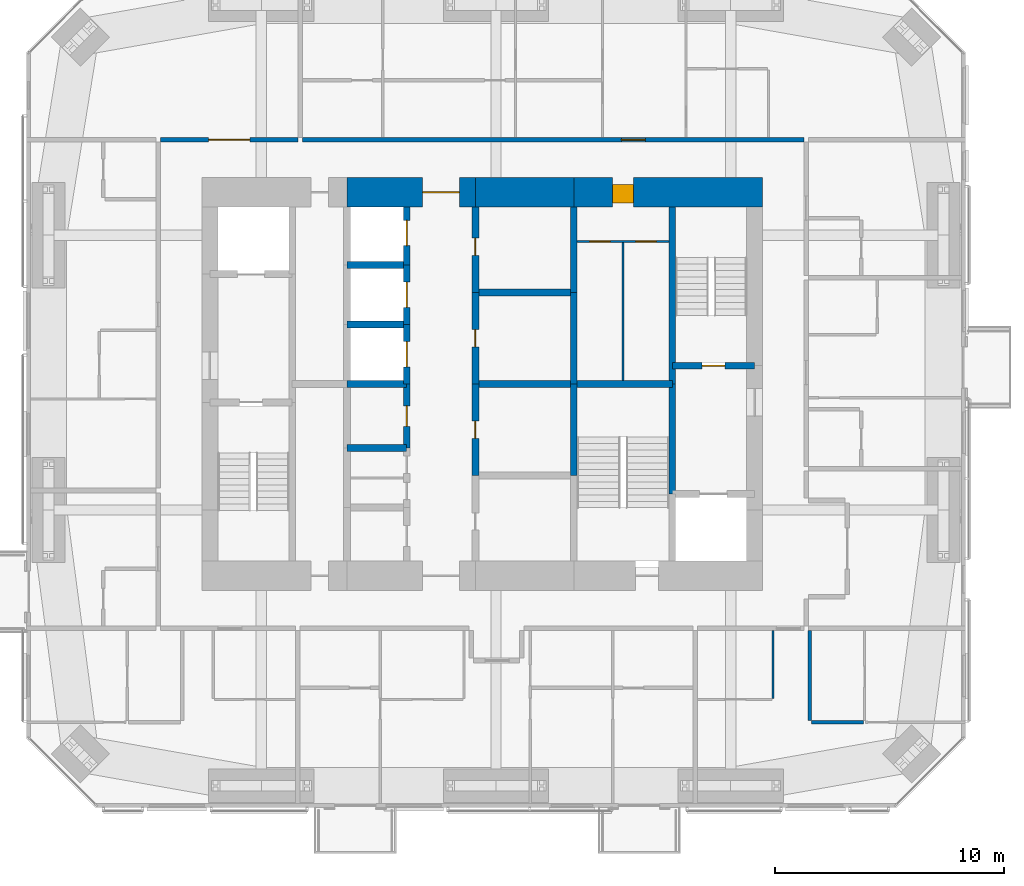
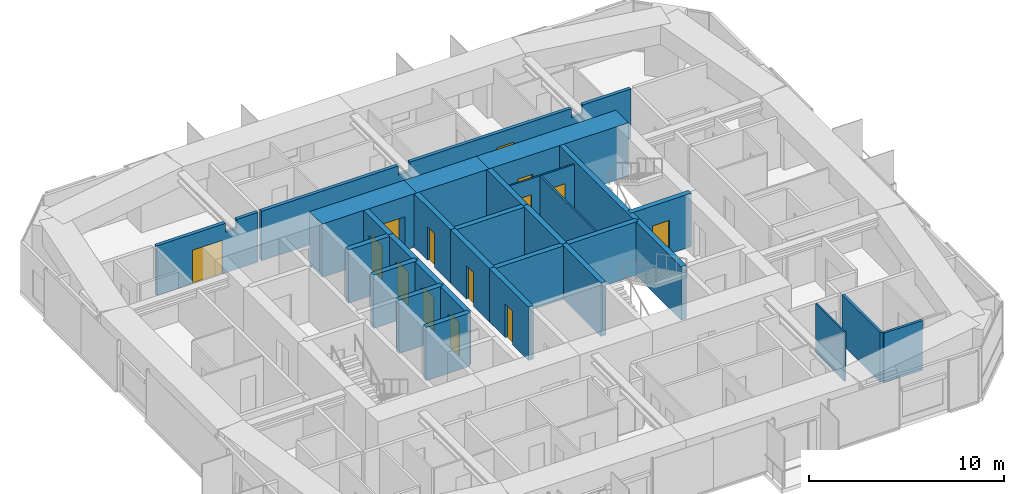
# One storey, part 18 of 22: 30 walls, 14 doors, 14 openings.
"""IFC4 building model written with IfcOpenShell, lengths in metres."""

from ifc_helpers import new_model, si_unit, direction, frame, frame_2d, origin, place, context, subcontext, project, spatial, polyline, rectangle, outline, extrude, material, layer, layer_set, constituent, constituent_set, type_object, element, fill, save


model = new_model("IFC4")

# Units and contexts
model_context = context("Model", 3, precision=1e-05, world=origin(), true_north=direction((0.0, 1.0)))
body_context = subcontext(model_context, "Body", "Model", "MODEL_VIEW")
ifc_project = project(units=[si_unit("LENGTHUNIT", "METRE"), si_unit("AREAUNIT", "SQUARE_METRE"), si_unit("VOLUMEUNIT", "CUBIC_METRE"), si_unit("PLANEANGLEUNIT", "RADIAN"), si_unit("MASSUNIT", "GRAM", prefix="KILO")], contexts=[model_context])

# Site, building, storey
site_placement = place(None, origin())
site = spatial("IfcSite", under=ifc_project, at=site_placement, CompositionType="ELEMENT")
building_placement = place(site_placement, origin())
building = spatial("IfcBuilding", under=site, at=building_placement, Name="Jalousie Tower", CompositionType="ELEMENT")
storey_placement = place(building_placement, frame((0.0, 0.0, 177.800048828125)))
storey = spatial("IfcBuildingStorey", under=building, at=storey_placement, Name="L48", CompositionType="ELEMENT", Elevation=177.800048828125)

# Walls
ifc_material_1 = material(Name="Concrete block ASTM C90", Category="concrete")
ifc_constituent_1 = constituent(ifc_material_1, Name="Body")
ifc_material_2 = material(Name="Render")
ifc_constituent_2 = constituent(ifc_material_2, Name="Finish")
ifc_constituent_set_1 = constituent_set(constituents=[ifc_constituent_1, ifc_constituent_2])
wall_type_1 = type_object("IfcWallType", Name="BATHROOM WALL 150", PredefinedType="PLUMBINGWALL", material=ifc_constituent_set_1)
wall_1_placement = place(storey_placement, frame((46.27490234375, 3.72119140625, 0.0), z_axis=(0.0, 0.0, 1.0), x_axis=(1.0, 0.0, 0.0)))
element("IfcWall", 1, at=wall_1_placement, inside=storey, type_object=wall_type_1, Name="Bathroom Wall 150 L48", PredefinedType="PLUMBINGWALL", context=body_context, shape_type="SweptSolid", body=[
    extrude(rectangle(XDim=2.275146484375, YDim=0.14990234375, at=frame_2d((1.1376953125, 0.0))), origin(), (0.0, 0.0, 1.0), 3.10986328125),
])
wall_2_placement = place(storey_placement, frame((46.199951171875, 3.79638671875, 0.0), z_axis=(0.0, 0.0, 1.0), x_axis=(0.0, 1.0, 0.0)))
element("IfcWall", 2, at=wall_2_placement, inside=storey, type_object=wall_type_1, Name="Bathroom Wall 150 L48", PredefinedType="PLUMBINGWALL", context=body_context, shape_type="SweptSolid", body=[
    extrude(rectangle(XDim=3.9287109375, YDim=0.14990234375, at=frame_2d((1.96435546875, 0.0))), origin(), (0.0, 0.0, 1.0), 3.10986328125),
])

# Wall, opening, door
ifc_material_3 = material(Name="Concrete f'c 120 MPa", Category="concrete")
ifc_layer_1 = layer(ifc_material_3, 1.300048828125)
ifc_layer_set_1 = layer_set([ifc_layer_1], Name="Concrete f'c 120 MPa")
wall_type_2 = type_object("IfcWallType", Name="CORE WALL 1300", PredefinedType="SHEAR", material=ifc_layer_set_1)
wall_3_placement = place(storey_placement, frame((44.14990234375, 26.875, 0.0), z_axis=(0.0, 0.0, 1.0), x_axis=(-1.0, 0.0, 0.0)))
wall_3 = element("IfcWall", 3, at=wall_3_placement, inside=storey, type_object=wall_type_2, Name="Core wall NA L48", PredefinedType="SHEAR", context=body_context, shape_type="SweptSolid", body=[
    extrude(rectangle(XDim=8.25, YDim=1.300048828125, at=frame_2d((4.125, 0.0))), origin(), (0.0, 0.0, 1.0), 3.349853515625),
])
opening_1_placement = place(wall_3_placement, frame((5.64990234375, 0.0, 0.0)))
opening_1 = element("IfcOpeningElement", 4, at=opening_1_placement, cuts=wall_3, Name="Opening D25", PredefinedType="OPENING", context=body_context, shape_type="SweptSolid", body=[
    extrude(rectangle(XDim=0.89990234375, YDim=2.10009765625, at=frame_2d((0.449951171875, 1.050048828125))), frame((0.0, 0.659912109375, 0.0), z_axis=(0.0, -1.0, 0.0), x_axis=(1.0, 0.0, 0.0)), (0.0, 0.0, 1.0), 1.320068359375),
])
ifc_material_4 = material(Name="Steel fire door", Category="steel")
door_type_1 = type_object("IfcDoorType", Name="SERVICE LOBBY DOOR 900", OperationType="SINGLE_SWING_LEFT", PredefinedType="DOOR", material=ifc_material_4)
door_1_placement = place(opening_1_placement, origin())
door_1 = element("IfcDoor", 5, at=door_1_placement, inside=storey, type_object=door_type_1, Name="Service lobby door", OperationType="SINGLE_SWING_RIGHT", OverallHeight=2.10009765625, OverallWidth=0.89990234375, PredefinedType="DOOR", context=body_context, shape_type="SweptSolid", body=[
    extrude(rectangle(XDim=0.89990234375, YDim=2.10009765625, at=frame_2d((0.449951171875, 1.050048828125))), frame((0.0, 0.47021484375, 0.0), z_axis=(0.0, -1.0, 0.0), x_axis=(1.0, 0.0, 0.0)), (0.0, 0.0, 1.0), 0.800048828125),
])
fill(opening_1, door_1)

# Wall
wall_4_placement = place(storey_placement, frame((35.89990234375, 26.875, 0.0), z_axis=(0.0, 0.0, 1.0), x_axis=(-1.0, 0.0, 0.0)))
element("IfcWall", 6, at=wall_4_placement, inside=storey, type_object=wall_type_2, Name="Core wall NB L48", PredefinedType="SHEAR", context=body_context, shape_type="SweptSolid", body=[
    extrude(rectangle(XDim=4.2998046875, YDim=1.300048828125, at=frame_2d((2.14990234375, 0.0))), origin(), (0.0, 0.0, 1.0), 3.349853515625),
])

# Wall, opening, door
wall_5_placement = place(storey_placement, frame((31.60009765625, 26.875, 0.0), z_axis=(0.0, 0.0, 1.0), x_axis=(-1.0, 0.0, 0.0)))
wall_5 = element("IfcWall", 7, at=wall_5_placement, inside=storey, type_object=wall_type_2, Name="Core wall NC L48", PredefinedType="SHEAR", context=body_context, shape_type="SweptSolid", body=[
    extrude(rectangle(XDim=5.60009765625, YDim=1.300048828125, at=frame_2d((2.800048828125, 0.0))), origin(), (0.0, 0.0, 1.0), 3.349853515625),
])
opening_2_placement = place(wall_5_placement, frame((0.699951171875, 0.0, 0.0)))
opening_2 = element("IfcOpeningElement", 8, at=opening_2_placement, cuts=wall_5, Name="Opening D15", PredefinedType="OPENING", context=body_context, shape_type="SweptSolid", body=[
    extrude(rectangle(XDim=1.60009765625, YDim=2.10009765625, at=frame_2d((0.800048828125, 1.050048828125))), frame((0.0, 0.659912109375, 0.0), z_axis=(0.0, -1.0, 0.0), x_axis=(1.0, 0.0, 0.0)), (0.0, 0.0, 1.0), 1.320068359375),
])
ifc_material_5 = material(Name="Steel fire door", Category="steel")
door_type_2 = type_object("IfcDoorType", Name="LIFT LOBBY DOOR 1600", OperationType="DOUBLE_DOOR_SINGLE_SWING", PredefinedType="DOOR", material=ifc_material_5)
door_2_placement = place(opening_2_placement, origin())
door_2 = element("IfcDoor", 9, at=door_2_placement, inside=storey, type_object=door_type_2, Name="Lift lobby north door", OperationType="DOUBLE_DOOR_SINGLE_SWING", OverallHeight=2.10009765625, OverallWidth=1.60009765625, PredefinedType="DOOR", context=body_context, shape_type="SweptSolid", body=[
    extrude(rectangle(XDim=1.60009765625, YDim=2.10009765625, at=frame_2d((0.800048828125, 1.050048828125))), frame((0.0, 0.02490234375, 0.0), z_axis=(0.0, -1.0, 0.0), x_axis=(1.0, 0.0, 0.0)), (0.0, 0.0, 1.0), 0.050048828125),
])
fill(opening_2, door_2)

ifc_material_6 = material(Name="Concrete f'c 120 MPa", Category="concrete")
ifc_layer_2 = layer(ifc_material_6, 0.300048828125)
ifc_layer_set_2 = layer_set([ifc_layer_2], Name="Concrete f'c 120 MPa")
wall_type_3 = type_object("IfcWallType", Name="CORE WALL 300", PredefinedType="SHEAR", material=ifc_layer_set_2)
wall_6_placement = place(storey_placement, frame((28.60009765625, 15.699951171875, 0.0), z_axis=(0.0, 0.0, 1.0), x_axis=(0.0, 1.0, 0.0)))
wall_6 = element("IfcWall", 10, at=wall_6_placement, inside=storey, type_object=wall_type_3, Name="Core wall X28.6C L48", PredefinedType="SHEAR", context=body_context, shape_type="SweptSolid", body=[
    extrude(rectangle(XDim=2.800048828125, YDim=0.300048828125, at=frame_2d((1.39990234375, 0.0))), origin(), (0.0, 0.0, 1.0), 3.349853515625),
])
opening_3_placement = place(wall_6_placement, frame((0.949951171875, 0.0, 0.0)))
opening_3 = element("IfcOpeningElement", 11, at=opening_3_placement, cuts=wall_6, Name="Opening D24", PredefinedType="OPENING", context=body_context, shape_type="SweptSolid", body=[
    extrude(rectangle(XDim=0.89990234375, YDim=2.10009765625, at=frame_2d((0.449951171875, 1.050048828125))), frame((0.0, 0.159912109375, 0.0), z_axis=(0.0, -1.0, 0.0), x_axis=(1.0, 0.0, 0.0)), (0.0, 0.0, 1.0), 0.320068359375),
])
ifc_material_7 = material(Name="Steel fire door", Category="steel")
door_type_3 = type_object("IfcDoorType", Name="CORE ROOM DOOR 900", OperationType="SINGLE_SWING_LEFT", PredefinedType="DOOR", material=ifc_material_7)
door_3_placement = place(opening_3_placement, origin())
door_3 = element("IfcDoor", 12, at=door_3_placement, inside=storey, type_object=door_type_3, Name="Pantry door", OperationType="SINGLE_SWING_LEFT", OverallHeight=2.10009765625, OverallWidth=0.89990234375, PredefinedType="DOOR", context=body_context, shape_type="SweptSolid", body=[
    extrude(rectangle(XDim=0.89990234375, YDim=2.10009765625, at=frame_2d((0.449951171875, 1.050048828125))), frame((0.0, 0.02490234375, 0.0), z_axis=(0.0, -1.0, 0.0), x_axis=(1.0, 0.0, 0.0)), (0.0, 0.0, 1.0), 0.050048828125),
])
fill(opening_3, door_3)

wall_7_placement = place(storey_placement, frame((28.60009765625, 18.5, 0.0), z_axis=(0.0, 0.0, 1.0), x_axis=(0.0, 1.0, 0.0)))
wall_7 = element("IfcWall", 13, at=wall_7_placement, inside=storey, type_object=wall_type_3, Name="Core wall X28.6D L48", PredefinedType="SHEAR", context=body_context, shape_type="SweptSolid", body=[
    extrude(rectangle(XDim=2.60009765625, YDim=0.300048828125, at=frame_2d((1.300048828125, 0.0))), origin(), (0.0, 0.0, 1.0), 3.349853515625),
])
opening_4_placement = place(wall_7_placement, frame((0.75, 0.0, 0.0)))
opening_4 = element("IfcOpeningElement", 14, at=opening_4_placement, cuts=wall_7, Name="Opening LD1", PredefinedType="OPENING", context=body_context, shape_type="SweptSolid", body=[
    extrude(rectangle(XDim=1.10009765625, YDim=2.10009765625, at=frame_2d((0.550048828125, 1.050048828125))), frame((0.0, 0.159912109375, 0.0), z_axis=(0.0, -1.0, 0.0), x_axis=(1.0, 0.0, 0.0)), (0.0, 0.0, 1.0), 0.320068359375),
])
ifc_material_8 = material(Name="Steel lift landing door", Category="steel")
door_type_4 = type_object("IfcDoorType", Name="LIFT LANDING DOOR 1100", OperationType="SLIDING_TO_LEFT", PredefinedType="DOOR", material=ifc_material_8)
door_4_placement = place(opening_4_placement, origin())
door_4 = element("IfcDoor", 15, at=door_4_placement, inside=storey, type_object=door_type_4, Name="Lift P4 landing door", OperationType="SLIDING_TO_LEFT", OverallHeight=2.10009765625, OverallWidth=1.10009765625, PredefinedType="DOOR", context=body_context, shape_type="SweptSolid", body=[
    extrude(rectangle(XDim=1.10009765625, YDim=2.10009765625, at=frame_2d((0.550048828125, 1.050048828125))), frame((0.0, 0.02490234375, 0.0), z_axis=(0.0, -1.0, 0.0), x_axis=(1.0, 0.0, 0.0)), (0.0, 0.0, 1.0), 0.050048828125),
])
fill(opening_4, door_4)

wall_8_placement = place(storey_placement, frame((28.60009765625, 21.10009765625, 0.0), z_axis=(0.0, 0.0, 1.0), x_axis=(0.0, 1.0, 0.0)))
wall_8 = element("IfcWall", 16, at=wall_8_placement, inside=storey, type_object=wall_type_3, Name="Core wall X28.6E L48", PredefinedType="SHEAR", context=body_context, shape_type="SweptSolid", body=[
    extrude(rectangle(XDim=2.599853515625, YDim=0.300048828125, at=frame_2d((1.2998046875, 0.0))), origin(), (0.0, 0.0, 1.0), 3.349853515625),
])
opening_5_placement = place(wall_8_placement, frame((0.75, 0.0, 0.0)))
opening_5 = element("IfcOpeningElement", 17, at=opening_5_placement, cuts=wall_8, Name="Opening LD1", PredefinedType="OPENING", context=body_context, shape_type="SweptSolid", body=[
    extrude(rectangle(XDim=1.10009765625, YDim=2.10009765625, at=frame_2d((0.550048828125, 1.050048828125))), frame((0.0, 0.159912109375, 0.0), z_axis=(0.0, -1.0, 0.0), x_axis=(1.0, 0.0, 0.0)), (0.0, 0.0, 1.0), 0.320068359375),
])
door_5_placement = place(opening_5_placement, origin())
door_5 = element("IfcDoor", 18, at=door_5_placement, inside=storey, type_object=door_type_4, Name="Lift P5 landing door", OperationType="SLIDING_TO_LEFT", OverallHeight=2.10009765625, OverallWidth=1.10009765625, PredefinedType="DOOR", context=body_context, shape_type="SweptSolid", body=[
    extrude(rectangle(XDim=1.10009765625, YDim=2.10009765625, at=frame_2d((0.550048828125, 1.050048828125))), frame((0.0, 0.02490234375, 0.0), z_axis=(0.0, -1.0, 0.0), x_axis=(1.0, 0.0, 0.0)), (0.0, 0.0, 1.0), 0.050048828125),
])
fill(opening_5, door_5)

wall_9_placement = place(storey_placement, frame((28.60009765625, 23.699951171875, 0.0), z_axis=(0.0, 0.0, 1.0), x_axis=(0.0, 1.0, 0.0)))
wall_9 = element("IfcWall", 19, at=wall_9_placement, inside=storey, type_object=wall_type_3, Name="Core wall X28.6F L48", PredefinedType="SHEAR", context=body_context, shape_type="SweptSolid", body=[
    extrude(rectangle(XDim=2.525146484375, YDim=0.300048828125, at=frame_2d((1.2626953125, 0.0))), origin(), (0.0, 0.0, 1.0), 3.349853515625),
])
opening_6_placement = place(wall_9_placement, frame((0.85009765625, 0.0, 0.0)))
opening_6 = element("IfcOpeningElement", 20, at=opening_6_placement, cuts=wall_9, Name="Opening LD1", PredefinedType="OPENING", context=body_context, shape_type="SweptSolid", body=[
    extrude(rectangle(XDim=1.10009765625, YDim=2.10009765625, at=frame_2d((0.550048828125, 1.050048828125))), frame((0.0, 0.159912109375, 0.0), z_axis=(0.0, -1.0, 0.0), x_axis=(1.0, 0.0, 0.0)), (0.0, 0.0, 1.0), 0.320068359375),
])
door_6_placement = place(opening_6_placement, origin())
door_6 = element("IfcDoor", 21, at=door_6_placement, inside=storey, type_object=door_type_4, Name="Lift P6 landing door", OperationType="SLIDING_TO_LEFT", OverallHeight=2.10009765625, OverallWidth=1.10009765625, PredefinedType="DOOR", context=body_context, shape_type="SweptSolid", body=[
    extrude(rectangle(XDim=1.10009765625, YDim=2.10009765625, at=frame_2d((0.550048828125, 1.050048828125))), frame((0.0, 0.02490234375, 0.0), z_axis=(0.0, -1.0, 0.0), x_axis=(1.0, 0.0, 0.0)), (0.0, 0.0, 1.0), 0.050048828125),
])
fill(opening_6, door_6)

wall_10_placement = place(storey_placement, frame((31.60009765625, 14.5, 0.0), z_axis=(0.0, 0.0, 1.0), x_axis=(0.0, 1.0, 0.0)))
wall_10 = element("IfcWall", 22, at=wall_10_placement, inside=storey, type_object=wall_type_3, Name="Core wall X31.6B L48", PredefinedType="SHEAR", context=body_context, shape_type="SweptSolid", body=[
    extrude(rectangle(XDim=4.0, YDim=0.300048828125, at=frame_2d((2.0, 0.0))), origin(), (0.0, 0.0, 1.0), 3.349853515625),
])
opening_7_placement = place(wall_10_placement, frame((1.625, 0.0, 0.0)))
opening_7 = element("IfcOpeningElement", 23, at=opening_7_placement, cuts=wall_10, Name="Opening D16", PredefinedType="OPENING", context=body_context, shape_type="SweptSolid", body=[
    extrude(rectangle(XDim=0.75, YDim=2.10009765625, at=frame_2d((0.375, 1.050048828125))), frame((0.0, 0.159912109375, 0.0), z_axis=(0.0, -1.0, 0.0), x_axis=(1.0, 0.0, 0.0)), (0.0, 0.0, 1.0), 0.320068359375),
])
ifc_material_9 = material(Name="Steel fire door", Category="steel")
door_type_5 = type_object("IfcDoorType", Name="RISER DOOR 750", OperationType="SINGLE_SWING_LEFT", PredefinedType="DOOR", material=ifc_material_9)
door_7_placement = place(opening_7_placement, frame((0.75, 0.0, 0.0), z_axis=(0.0, 0.0, 1.0), x_axis=(-1.0, 0.0, 0.0)))
door_7 = element("IfcDoor", 24, at=door_7_placement, inside=storey, type_object=door_type_5, Name="Electrical Room door", OperationType="SINGLE_SWING_RIGHT", OverallHeight=2.10009765625, OverallWidth=0.75, PredefinedType="DOOR", context=body_context, shape_type="SweptSolid", body=[
    extrude(rectangle(XDim=0.75, YDim=2.10009765625, at=frame_2d((0.375, 1.050048828125))), frame((0.0, 0.02490234375, 0.0), z_axis=(0.0, -1.0, 0.0), x_axis=(1.0, 0.0, 0.0)), (0.0, 0.0, 1.0), 0.050048828125),
])
fill(opening_7, door_7)

wall_11_placement = place(storey_placement, frame((31.60009765625, 18.5, 0.0), z_axis=(0.0, 0.0, 1.0), x_axis=(0.0, 1.0, 0.0)))
wall_11 = element("IfcWall", 25, at=wall_11_placement, inside=storey, type_object=wall_type_3, Name="Core wall X31.6C L48", PredefinedType="SHEAR", context=body_context, shape_type="SweptSolid", body=[
    extrude(rectangle(XDim=4.0, YDim=0.300048828125, at=frame_2d((2.0, 0.0))), origin(), (0.0, 0.0, 1.0), 3.349853515625),
])
opening_8_placement = place(wall_11_placement, frame((1.625, 0.0, 0.0)))
opening_8 = element("IfcOpeningElement", 26, at=opening_8_placement, cuts=wall_11, Name="Opening D16", PredefinedType="OPENING", context=body_context, shape_type="SweptSolid", body=[
    extrude(rectangle(XDim=0.75, YDim=2.10009765625, at=frame_2d((0.375, 1.050048828125))), frame((0.0, 0.159912109375, 0.0), z_axis=(0.0, -1.0, 0.0), x_axis=(1.0, 0.0, 0.0)), (0.0, 0.0, 1.0), 0.320068359375),
])
door_8_placement = place(opening_8_placement, frame((0.75, 0.0, 0.0), z_axis=(0.0, 0.0, 1.0), x_axis=(-1.0, 0.0, 0.0)))
door_8 = element("IfcDoor", 27, at=door_8_placement, inside=storey, type_object=door_type_5, Name="Telecom Room door", OperationType="SINGLE_SWING_RIGHT", OverallHeight=2.10009765625, OverallWidth=0.75, PredefinedType="DOOR", context=body_context, shape_type="SweptSolid", body=[
    extrude(rectangle(XDim=0.75, YDim=2.10009765625, at=frame_2d((0.375, 1.050048828125))), frame((0.0, 0.02490234375, 0.0), z_axis=(0.0, -1.0, 0.0), x_axis=(1.0, 0.0, 0.0)), (0.0, 0.0, 1.0), 0.050048828125),
])
fill(opening_8, door_8)

wall_12_placement = place(storey_placement, frame((31.60009765625, 22.5, 0.0), z_axis=(0.0, 0.0, 1.0), x_axis=(0.0, 1.0, 0.0)))
wall_12 = element("IfcWall", 28, at=wall_12_placement, inside=storey, type_object=wall_type_3, Name="Core wall X31.6D L48", PredefinedType="SHEAR", context=body_context, shape_type="SweptSolid", body=[
    extrude(rectangle(XDim=3.72509765625, YDim=0.300048828125, at=frame_2d((1.862548828125, 0.0))), origin(), (0.0, 0.0, 1.0), 3.349853515625),
])
opening_9_placement = place(wall_12_placement, frame((1.625, 0.0, 0.0)))
opening_9 = element("IfcOpeningElement", 29, at=opening_9_placement, cuts=wall_12, Name="Opening D16", PredefinedType="OPENING", context=body_context, shape_type="SweptSolid", body=[
    extrude(rectangle(XDim=0.75, YDim=2.10009765625, at=frame_2d((0.375, 1.050048828125))), frame((0.0, 0.159912109375, 0.0), z_axis=(0.0, -1.0, 0.0), x_axis=(1.0, 0.0, 0.0)), (0.0, 0.0, 1.0), 0.320068359375),
])
door_9_placement = place(opening_9_placement, frame((0.75, 0.0, 0.0), z_axis=(0.0, 0.0, 1.0), x_axis=(-1.0, 0.0, 0.0)))
door_9 = element("IfcDoor", 30, at=door_9_placement, inside=storey, type_object=door_type_5, Name="Water Services Room door", OperationType="SINGLE_SWING_LEFT", OverallHeight=2.10009765625, OverallWidth=0.75, PredefinedType="DOOR", context=body_context, shape_type="SweptSolid", body=[
    extrude(rectangle(XDim=0.75, YDim=2.10009765625, at=frame_2d((0.375, 1.050048828125))), frame((0.0, 0.02490234375, 0.0), z_axis=(0.0, -1.0, 0.0), x_axis=(1.0, 0.0, 0.0)), (0.0, 0.0, 1.0), 0.050048828125),
])
fill(opening_9, door_9)

# Walls
for number, where, z_axis, x_axis, name in (
    (31, (35.89990234375, 14.5, 0.0), (0.0, 0.0, 1.0), (0.0, 1.0, 0.0), "Core wall X35.9B L48"),
    (32, (35.89990234375, 18.5, 0.0), (0.0, 0.0, 1.0), (0.0, 1.0, 0.0), "Core wall X35.9C L48"),
):
    element("IfcWall", number, at=place(storey_placement, frame(where, z_axis=z_axis, x_axis=x_axis)), inside=storey, type_object=wall_type_3, Name=name, PredefinedType="SHEAR", context=body_context, shape_type="SweptSolid", body=[
        extrude(rectangle(XDim=4.0, YDim=0.300048828125, at=frame_2d((2.0, 0.0))), origin(), (0.0, 0.0, 1.0), 3.349853515625),
    ])
wall_13_placement = place(storey_placement, frame((35.89990234375, 22.5, 0.0), z_axis=(0.0, 0.0, 1.0), x_axis=(0.0, 1.0, 0.0)))
element("IfcWall", 33, at=wall_13_placement, inside=storey, type_object=wall_type_3, Name="Core wall X35.9D L48", PredefinedType="SHEAR", context=body_context, shape_type="SweptSolid", body=[
    extrude(rectangle(XDim=3.72509765625, YDim=0.300048828125, at=frame_2d((1.862548828125, 0.0))), origin(), (0.0, 0.0, 1.0), 3.349853515625),
])
wall_14_placement = place(storey_placement, frame((40.199951171875, 13.699951171875, 0.0), z_axis=(0.0, 0.0, 1.0), x_axis=(0.0, 1.0, 0.0)))
element("IfcWall", 34, at=wall_14_placement, inside=storey, type_object=wall_type_3, Name="Core wall X40.2B L48", PredefinedType="SHEAR", context=body_context, shape_type="SweptSolid", body=[
    extrude(rectangle(XDim=4.800048828125, YDim=0.300048828125, at=frame_2d((2.39990234375, 0.0))), origin(), (0.0, 0.0, 1.0), 3.349853515625),
])
wall_15_placement = place(storey_placement, frame((40.199951171875, 18.5, 0.0), z_axis=(0.0, 0.0, 1.0), x_axis=(0.0, 1.0, 0.0)))
element("IfcWall", 35, at=wall_15_placement, inside=storey, type_object=wall_type_3, Name="Core wall X40.2C L48", PredefinedType="SHEAR", context=body_context, shape_type="SweptSolid", body=[
    extrude(rectangle(XDim=7.72509765625, YDim=0.300048828125, at=frame_2d((3.862548828125, 0.0))), origin(), (0.0, 0.0, 1.0), 3.349853515625),
])
for number, where, z_axis, x_axis, name in (
    (36, (26.0, 15.699951171875, 0.0), (0.0, 0.0, 1.0), (1.0, 0.0, 0.0), "Core wall Y26-15.7 L48"),
    (37, (26.0, 18.5, 0.0), (0.0, 0.0, 1.0), (1.0, 0.0, 0.0), "Core wall Y26-18.5 L48"),
    (38, (26.0, 21.10009765625, 0.0), (0.0, 0.0, 1.0), (1.0, 0.0, 0.0), "Core wall Y26-21.1 L48"),
    (39, (26.0, 23.699951171875, 0.0), (0.0, 0.0, 1.0), (1.0, 0.0, 0.0), "Core wall Y26-23.7 L48"),
):
    element("IfcWall", number, at=place(storey_placement, frame(where, z_axis=z_axis, x_axis=x_axis)), inside=storey, type_object=wall_type_3, Name=name, PredefinedType="SHEAR", context=body_context, shape_type="SweptSolid", body=[
        extrude(rectangle(XDim=2.60009765625, YDim=0.300048828125, at=frame_2d((1.300048828125, 0.0))), origin(), (0.0, 0.0, 1.0), 3.349853515625),
    ])
for number, where, z_axis, x_axis, name in (
    (40, (31.60009765625, 18.5, 0.0), (0.0, 0.0, 1.0), (1.0, 0.0, 0.0), "Core wall Y31.6-18.5 L48"),
    (41, (31.60009765625, 22.5, 0.0), (0.0, 0.0, 1.0), (1.0, 0.0, 0.0), "Core wall Y31.6-22.5 L48"),
):
    element("IfcWall", number, at=place(storey_placement, frame(where, z_axis=z_axis, x_axis=x_axis)), inside=storey, type_object=wall_type_3, Name=name, PredefinedType="SHEAR", context=body_context, shape_type="SweptSolid", body=[
        extrude(rectangle(XDim=4.2998046875, YDim=0.300048828125, at=frame_2d((2.14990234375, 0.0))), origin(), (0.0, 0.0, 1.0), 3.349853515625),
    ])
wall_16_placement = place(storey_placement, frame((35.89990234375, 18.5, 0.0), z_axis=(0.0, 0.0, 1.0), x_axis=(1.0, 0.0, 0.0)))
element("IfcWall", 42, at=wall_16_placement, inside=storey, type_object=wall_type_3, Name="Core wall Y35.9-18.5 L48", PredefinedType="SHEAR", context=body_context, shape_type="SweptSolid", body=[
    extrude(rectangle(XDim=4.300048828125, YDim=0.300048828125, at=frame_2d((2.14990234375, 0.0))), origin(), (0.0, 0.0, 1.0), 3.349853515625),
])

# Wall, opening, door
wall_17_placement = place(storey_placement, frame((40.199951171875, 19.300048828125, 0.0), z_axis=(0.0, 0.0, 1.0), x_axis=(1.0, 0.0, 0.0)))
wall_17 = element("IfcWall", 43, at=wall_17_placement, inside=storey, type_object=wall_type_3, Name="Core wall Y40.2-19.3 L48", PredefinedType="SHEAR", context=body_context, shape_type="SweptSolid", body=[
    extrude(rectangle(XDim=3.60009765625, YDim=0.300048828125, at=frame_2d((1.800048828125, 0.0))), origin(), (0.0, 0.0, 1.0), 3.349853515625),
])
opening_10_placement = place(wall_17_placement, frame((1.300048828125, 0.0, 0.0)))
opening_10 = element("IfcOpeningElement", 44, at=opening_10_placement, cuts=wall_17, Name="Opening D10", PredefinedType="OPENING", context=body_context, shape_type="SweptSolid", body=[
    extrude(rectangle(XDim=1.0, YDim=2.10009765625, at=frame_2d((0.5, 1.050048828125))), frame((0.0, 0.159912109375, 0.0), z_axis=(0.0, -1.0, 0.0), x_axis=(1.0, 0.0, 0.0)), (0.0, 0.0, 1.0), 0.320068359375),
])
ifc_material_10 = material(Name="Steel fire door", Category="steel")
door_type_6 = type_object("IfcDoorType", Name="STAIR DOOR 1000", OperationType="SINGLE_SWING_LEFT", PredefinedType="DOOR", material=ifc_material_10)
door_10_placement = place(opening_10_placement, origin())
door_10 = element("IfcDoor", 45, at=door_10_placement, inside=storey, type_object=door_type_6, Name="Exit stair B door", OperationType="SINGLE_SWING_RIGHT", OverallHeight=2.10009765625, OverallWidth=1.0, PredefinedType="DOOR", context=body_context, shape_type="SweptSolid", body=[
    extrude(rectangle(XDim=1.0, YDim=2.10009765625, at=frame_2d((0.5, 1.050048828125))), frame((0.0, 0.02490234375, 0.0), z_axis=(0.0, -1.0, 0.0), x_axis=(1.0, 0.0, 0.0)), (0.0, 0.0, 1.0), 0.050048828125),
])
fill(opening_10, door_10)

ifc_material_11 = material(Name="Concrete block ASTM C90", Category="concrete")
ifc_constituent_3 = constituent(ifc_material_11, Name="Body")
ifc_material_12 = material(Name="Render")
ifc_constituent_4 = constituent(ifc_material_12, Name="Finish")
ifc_constituent_set_2 = constituent_set(constituents=[ifc_constituent_3, ifc_constituent_4])
wall_type_4 = type_object("IfcWallType", Name="CORRIDOR WALL 200", PredefinedType="PARTITIONING", material=ifc_constituent_set_2)
wall_18_placement = place(storey_placement, frame((17.85009765625, 29.175048828125, 0.0), z_axis=(0.0, 0.0, 1.0), x_axis=(1.0, 0.0, 0.0)))
wall_18 = element("IfcWall", 46, at=wall_18_placement, inside=storey, type_object=wall_type_4, Name="Corridor Wall 200 L48", PredefinedType="PARTITIONING", context=body_context, shape_type="SweptSolid", body=[
    extrude(outline(polyline([(0.0, 0.0), (6.0, 0.0), (6.0, 3.10986328125), (4.7373046875, 3.10986328125), (4.7373046875, 2.541015625), (4.0625, 2.541015625), (4.0625, 3.10986328125), (0.0, 3.10986328125), (0.0, 0.0)])), frame((0.0, 0.10009765625, 0.0), z_axis=(0.0, -1.0, 0.0), x_axis=(1.0, 0.0, 0.0)), (0.0, 0.0, 1.0), 0.199951171875),
])
opening_11_placement = place(wall_18_placement, frame((2.10009765625, 0.0, 0.0)))
opening_11 = element("IfcOpeningElement", 47, at=opening_11_placement, cuts=wall_18, Name="Opening D22", PredefinedType="OPENING", context=body_context, shape_type="SweptSolid", body=[
    extrude(rectangle(XDim=1.800048828125, YDim=2.10009765625, at=frame_2d((0.89990234375, 1.050048828125))), frame((0.0, 0.10986328125, 0.0), z_axis=(0.0, -1.0, 0.0), x_axis=(1.0, 0.0, 0.0)), (0.0, 0.0, 1.0), 0.219970703125),
])
ifc_material_13 = material(Name="Timber fire door", Category="wood")
door_type_7 = type_object("IfcDoorType", Name="CORRIDOR DOUBLE DOOR 1800", OperationType="DOUBLE_DOOR_SINGLE_SWING", PredefinedType="DOOR", material=ifc_material_13)
door_11_placement = place(opening_11_placement, origin())
door_11 = element("IfcDoor", 48, at=door_11_placement, inside=storey, type_object=door_type_7, Name="Residents' lounge door", OperationType="DOUBLE_DOOR_SINGLE_SWING", OverallHeight=2.10009765625, OverallWidth=1.800048828125, PredefinedType="DOOR", context=body_context, shape_type="SweptSolid", body=[
    extrude(rectangle(XDim=1.800048828125, YDim=2.10009765625, at=frame_2d((0.89990234375, 1.050048828125))), frame((0.0, 0.02490234375, 0.0), z_axis=(0.0, -1.0, 0.0), x_axis=(1.0, 0.0, 0.0)), (0.0, 0.0, 1.0), 0.050048828125),
])
fill(opening_11, door_11)

wall_19_placement = place(storey_placement, frame((24.050048828125, 29.175048828125, 0.0), z_axis=(0.0, 0.0, 1.0), x_axis=(1.0, 0.0, 0.0)))
wall_19 = element("IfcWall", 49, at=wall_19_placement, inside=storey, type_object=wall_type_4, Name="Corridor Wall 200 L48", PredefinedType="PARTITIONING", context=body_context, shape_type="SweptSolid", body=[
    extrude(outline(polyline([(0.0, 0.0), (21.89990234375, 0.0), (21.89990234375, 3.10986328125), (19.037353515625, 3.10986328125), (19.037353515625, 2.541015625), (18.362548828125, 2.541015625), (18.362548828125, 3.10986328125), (8.787353515625, 3.10986328125), (8.787353515625, 2.541015625), (8.112548828125, 2.541015625), (8.112548828125, 3.10986328125), (0.0, 3.10986328125), (0.0, 0.0)])), frame((0.0, 0.10009765625, 0.0), z_axis=(0.0, -1.0, 0.0), x_axis=(1.0, 0.0, 0.0)), (0.0, 0.0, 1.0), 0.199951171875),
])
opening_12_placement = place(wall_19_placement, frame((13.925048828125, 0.0, 0.0)))
opening_12 = element("IfcOpeningElement", 50, at=opening_12_placement, cuts=wall_19, Name="Opening D1", PredefinedType="OPENING", context=body_context, shape_type="SweptSolid", body=[
    extrude(rectangle(XDim=1.050048828125, YDim=2.199951171875, at=frame_2d((0.52490234375, 1.10009765625))), frame((0.0, 0.10986328125, 0.0), z_axis=(0.0, -1.0, 0.0), x_axis=(1.0, 0.0, 0.0)), (0.0, 0.0, 1.0), 0.219970703125),
])
ifc_material_14 = material(Name="Timber fire door", Category="wood")
door_type_8 = type_object("IfcDoorType", Name="APARTMENT ENTRANCE DOOR 1050", OperationType="SINGLE_SWING_LEFT", PredefinedType="DOOR", material=ifc_material_14)
door_12_placement = place(opening_12_placement, origin())
door_12 = element("IfcDoor", 51, at=door_12_placement, inside=storey, type_object=door_type_8, Name="Apartment 4804 entrance", OperationType="SINGLE_SWING_LEFT", OverallHeight=2.199951171875, OverallWidth=1.050048828125, PredefinedType="DOOR", context=body_context, shape_type="SweptSolid", body=[
    extrude(rectangle(XDim=1.050048828125, YDim=2.199951171875, at=frame_2d((0.52490234375, 1.10009765625))), frame((0.0, 0.02490234375, 0.0), z_axis=(0.0, -1.0, 0.0), x_axis=(1.0, 0.0, 0.0)), (0.0, 0.0, 1.0), 0.050048828125),
])
fill(opening_12, door_12)

# Wall
ifc_material_15 = material(Name="Gypsum board", Category="gypsum")
ifc_constituent_5 = constituent(ifc_material_15, Name="Body")
ifc_material_16 = material(Name="Light-gauge steel studs ASTM A653 SS Grade 33", Category="steel")
ifc_constituent_6 = constituent(ifc_material_16, Name="Framing")
ifc_constituent_set_3 = constituent_set(constituents=[ifc_constituent_5, ifc_constituent_6])
wall_type_5 = type_object("IfcWallType", Name="PARTITION 100", PredefinedType="PARTITIONING", material=ifc_constituent_set_3)
wall_20_placement = place(storey_placement, frame((44.60009765625, 4.77490234375, 0.0), z_axis=(0.0, 0.0, 1.0), x_axis=(0.0, 1.0, 0.0)))
element("IfcWall", 52, at=wall_20_placement, inside=storey, type_object=wall_type_5, Name="Partition 100 L48", PredefinedType="PARTITIONING", context=body_context, shape_type="SweptSolid", body=[
    extrude(rectangle(XDim=2.9501953125, YDim=0.10009765625, at=frame_2d((1.47509765625, 0.0))), origin(), (0.0, 0.0, 1.0), 3.10986328125),
])

# Wall, openings, doors
wall_21_placement = place(storey_placement, frame((36.050048828125, 24.72509765625, 0.0), z_axis=(0.0, 0.0, 1.0), x_axis=(1.0, 0.0, 0.0)))
wall_21 = element("IfcWall", 53, at=wall_21_placement, inside=storey, type_object=wall_type_5, Name="Partition 100 L48", PredefinedType="PARTITIONING", context=body_context, shape_type="SweptSolid", body=[
    extrude(rectangle(XDim=4.0, YDim=0.10009765625, at=frame_2d((2.0, 0.0))), origin(), (0.0, 0.0, 1.0), 3.10986328125),
])
opening_13_placement = place(wall_21_placement, frame((0.550048828125, 0.0, 0.0)))
opening_13 = element("IfcOpeningElement", 54, at=opening_13_placement, cuts=wall_21, Name="Opening D7", PredefinedType="OPENING", context=body_context, shape_type="SweptSolid", body=[
    extrude(rectangle(XDim=0.89990234375, YDim=2.10009765625, at=frame_2d((0.449951171875, 1.050048828125))), frame((0.0, 0.06005859375, 0.0), z_axis=(0.0, -1.0, 0.0), x_axis=(1.0, 0.0, 0.0)), (0.0, 0.0, 1.0), 0.1201171875),
])
opening_14_placement = place(wall_21_placement, frame((2.550048828125, 0.0, 0.0)))
opening_14 = element("IfcOpeningElement", 55, at=opening_14_placement, cuts=wall_21, Name="Opening D7", PredefinedType="OPENING", context=body_context, shape_type="SweptSolid", body=[
    extrude(rectangle(XDim=0.89990234375, YDim=2.10009765625, at=frame_2d((0.449951171875, 1.050048828125))), frame((0.0, 0.06005859375, 0.0), z_axis=(0.0, -1.0, 0.0), x_axis=(1.0, 0.0, 0.0)), (0.0, 0.0, 1.0), 0.1201171875),
])
ifc_material_17 = material(Name="Timber door", Category="wood")
door_type_9 = type_object("IfcDoorType", Name="INTERNAL DOOR 900", OperationType="SINGLE_SWING_LEFT", PredefinedType="DOOR", material=ifc_material_17)
door_13_placement = place(opening_13_placement, frame((0.89990234375, 0.0, 0.0), z_axis=(0.0, 0.0, 1.0), x_axis=(-1.0, 0.0, 0.0)))
door_13 = element("IfcDoor", 56, at=door_13_placement, inside=storey, type_object=door_type_9, Name="Cleaner's store door", OperationType="SINGLE_SWING_LEFT", OverallHeight=2.10009765625, OverallWidth=0.89990234375, PredefinedType="DOOR", context=body_context, shape_type="SweptSolid", body=[
    extrude(rectangle(XDim=0.89990234375, YDim=2.10009765625, at=frame_2d((0.449951171875, 1.050048828125))), frame((0.0, 0.02490234375, 0.0), z_axis=(0.0, -1.0, 0.0), x_axis=(1.0, 0.0, 0.0)), (0.0, 0.0, 1.0), 0.050048828125),
])
fill(opening_13, door_13)
door_14_placement = place(opening_14_placement, frame((0.89990234375, 0.0, 0.0), z_axis=(0.0, 0.0, 1.0), x_axis=(-1.0, 0.0, 0.0)))
door_14 = element("IfcDoor", 57, at=door_14_placement, inside=storey, type_object=door_type_9, Name="Linen store door", OperationType="SINGLE_SWING_RIGHT", OverallHeight=2.10009765625, OverallWidth=0.89990234375, PredefinedType="DOOR", context=body_context, shape_type="SweptSolid", body=[
    extrude(rectangle(XDim=0.89990234375, YDim=2.10009765625, at=frame_2d((0.449951171875, 1.050048828125))), frame((0.0, 0.02490234375, 0.0), z_axis=(0.0, -1.0, 0.0), x_axis=(1.0, 0.0, 0.0)), (0.0, 0.0, 1.0), 0.050048828125),
])
fill(opening_14, door_14)

# Wall
wall_22_placement = place(storey_placement, frame((38.050048828125, 18.64990234375, 0.0), z_axis=(0.0, 0.0, 1.0), x_axis=(0.0, 1.0, 0.0)))
element("IfcWall", 58, at=wall_22_placement, inside=storey, type_object=wall_type_5, Name="Partition 100 L48", PredefinedType="PARTITIONING", context=body_context, shape_type="SweptSolid", body=[
    extrude(rectangle(XDim=6.025146484375, YDim=0.10009765625, at=frame_2d((3.0126953125, 0.0))), origin(), (0.0, 0.0, 1.0), 3.10986328125),
])

save(model, "model.ifc")
